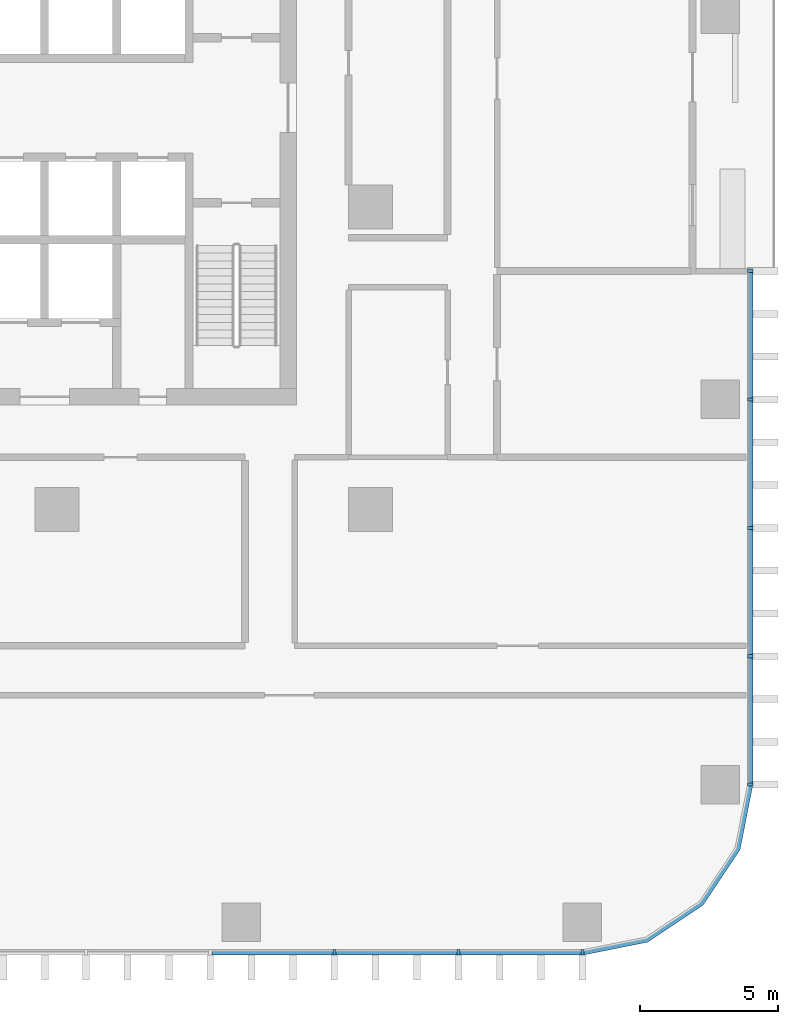
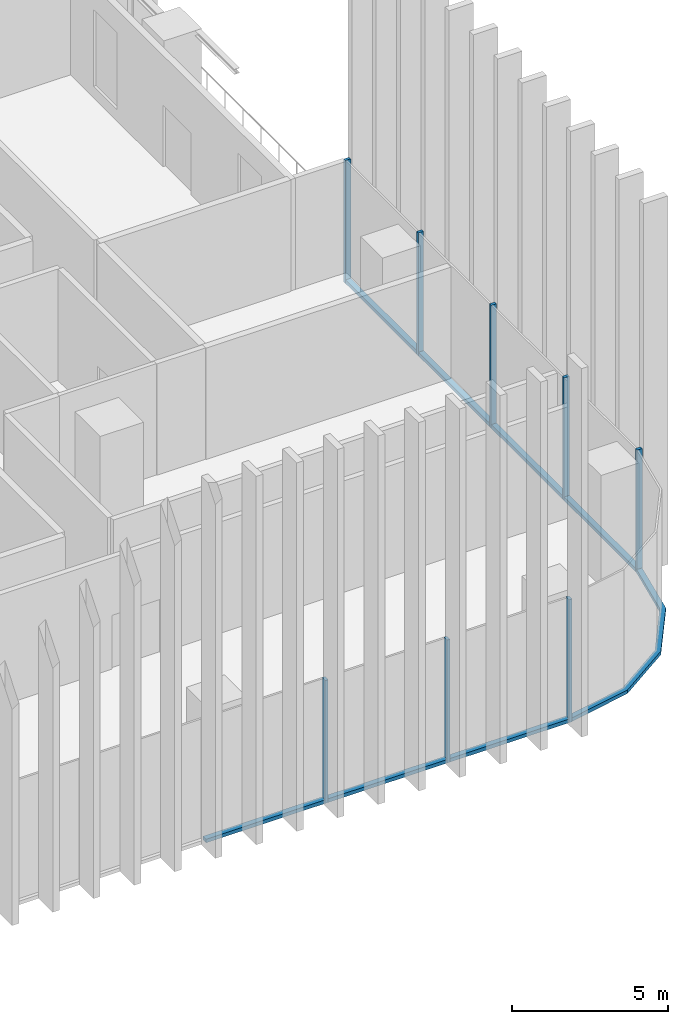
# One storey, part 3 of 16: 16 members, 3 elements without a shape of their own.
"""IFC4 building model written with IfcOpenShell, lengths in metres."""

from ifc_helpers import new_model, si_unit, direction, frame, origin, origin_2d, place, context, subcontext, project, spatial, polyline, rectangle, outline, extrude, material, material_profile, profile_set, type_object, element, aggregate, save


model = new_model("IFC4")

# Units and contexts
model_context = context("Model", 3, precision=1e-05, world=origin(), true_north=direction((0.0, 1.0)))
body_context = subcontext(model_context, "Body", "Model", "MODEL_VIEW")
ifc_project = project(units=[si_unit("LENGTHUNIT", "METRE"), si_unit("AREAUNIT", "SQUARE_METRE"), si_unit("VOLUMEUNIT", "CUBIC_METRE"), si_unit("PLANEANGLEUNIT", "RADIAN"), si_unit("MASSUNIT", "GRAM", prefix="KILO")], contexts=[model_context])

# Site, building, storey
site_placement = place(None, origin())
site = spatial("IfcSite", under=ifc_project, at=site_placement, CompositionType="ELEMENT")
building_placement = place(site_placement, origin())
building = spatial("IfcBuilding", under=site, at=building_placement, Name="Mopane Tessera Tower", CompositionType="ELEMENT")
storey_placement = place(building_placement, frame((0.0, 0.0, 59.800048828125)))
storey = spatial("IfcBuildingStorey", under=building, at=storey_placement, Name="L11", CompositionType="ELEMENT", Elevation=59.800048828125)

# Curtain wall, members
ifc_material_1 = material(Name="Aluminium frame", Category="aluminium")
curtain_wall_type = type_object("IfcCurtainWallType", Name="Lower tower unitised wall", PredefinedType="NOTDEFINED", material=ifc_material_1)
curtain_wall_1_placement = place(storey_placement, origin())
curtain_wall_1 = element("IfcCurtainWall", 1, at=curtain_wall_1_placement, inside=storey, type_object=curtain_wall_type, Name="e:cw:L11:S:5", PredefinedType="NOTDEFINED")
ifc_material_2 = material(Name="Aluminium frame", Category="aluminium")
ifc_material_profile_1 = material_profile(ifc_material_2, rectangle(XDim=0.110107421875, YDim=0.199951171875, at=origin_2d()))
ifc_profile_set_1 = profile_set([ifc_material_profile_1], Name="Aluminium frame")
member_type_1 = type_object("IfcMemberType", Name="Aluminium mullion 110 x 200", PredefinedType="MULLION", material=ifc_profile_set_1)
member_1_placement = place(storey_placement, frame((15.78173828125, -27.10009765625, -0.449951171875), z_axis=(0.0, 0.0, 1.0), x_axis=(1.0, 0.0, 0.0)))
member_1 = element("IfcMember", 2, at=member_1_placement, type_object=member_type_1, Name="e:cw:L11:S:5:mu9", PredefinedType="MULLION", context=body_context, shape_type="SweptSolid", body=[
    extrude(rectangle(XDim=0.110107421875, YDim=0.199951171875, at=origin_2d()), origin(), (0.0, 0.0, 1.0), 4.7998046875),
])
member_2_placement = place(storey_placement, frame((20.291015625, -27.10009765625, -0.449951171875), z_axis=(0.0, 0.0, 1.0), x_axis=(1.0, 0.0, 0.0)))
member_2 = element("IfcMember", 3, at=member_2_placement, type_object=member_type_1, Name="e:cw:L11:S:5:mu10", PredefinedType="MULLION", context=body_context, shape_type="SweptSolid", body=[
    extrude(rectangle(XDim=0.110107421875, YDim=0.199951171875, at=origin_2d()), origin(), (0.0, 0.0, 1.0), 4.7998046875),
])
member_3_placement = place(storey_placement, frame((24.800048828125, -27.10009765625, -0.449951171875), z_axis=(0.0, 0.0, 1.0), x_axis=(1.0, 0.0, 0.0)))
member_3 = element("IfcMember", 4, at=member_3_placement, type_object=member_type_1, Name="e:cw:L11:S:5:mu11", PredefinedType="MULLION", context=body_context, shape_type="SweptSolid", body=[
    extrude(rectangle(XDim=0.110107421875, YDim=0.199951171875, at=origin_2d()), origin(), (0.0, 0.0, 1.0), 4.7998046875),
])

curtain_wall_2_placement = place(storey_placement, origin())
curtain_wall_2 = element("IfcCurtainWall", 5, at=curtain_wall_2_placement, inside=storey, type_object=curtain_wall_type, Name="e:cw:L11:E:0", PredefinedType="NOTDEFINED")
member_4_placement = place(storey_placement, frame((30.89990234375, -21.0, -0.449951171875), z_axis=(0.0, 0.0, 1.0), x_axis=(0.0, 1.0, 0.0)))
member_4 = element("IfcMember", 6, at=member_4_placement, type_object=member_type_1, Name="e:cw:L11:E:0:mu0", PredefinedType="MULLION", context=body_context, shape_type="SweptSolid", body=[
    extrude(rectangle(XDim=0.110107421875, YDim=0.199951171875, at=origin_2d()), origin(), (0.0, 0.0, 1.0), 4.7998046875),
])
member_5_placement = place(storey_placement, frame((30.89990234375, -16.333251953125, -0.449951171875), z_axis=(0.0, 0.0, 1.0), x_axis=(0.0, 1.0, 0.0)))
member_5 = element("IfcMember", 7, at=member_5_placement, type_object=member_type_1, Name="e:cw:L11:E:0:mu1", PredefinedType="MULLION", context=body_context, shape_type="SweptSolid", body=[
    extrude(rectangle(XDim=0.110107421875, YDim=0.199951171875, at=origin_2d()), origin(), (0.0, 0.0, 1.0), 4.7998046875),
])
member_6_placement = place(storey_placement, frame((30.89990234375, -11.666748046875, -0.449951171875), z_axis=(0.0, 0.0, 1.0), x_axis=(0.0, 1.0, 0.0)))
member_6 = element("IfcMember", 8, at=member_6_placement, type_object=member_type_1, Name="e:cw:L11:E:0:mu2", PredefinedType="MULLION", context=body_context, shape_type="SweptSolid", body=[
    extrude(rectangle(XDim=0.110107421875, YDim=0.199951171875, at=origin_2d()), origin(), (0.0, 0.0, 1.0), 4.7998046875),
])
member_7_placement = place(storey_placement, frame((30.89990234375, -7.0, -0.449951171875), z_axis=(0.0, 0.0, 1.0), x_axis=(0.0, 1.0, 0.0)))
member_7 = element("IfcMember", 9, at=member_7_placement, type_object=member_type_1, Name="e:cw:L11:E:0:mu3", PredefinedType="MULLION", context=body_context, shape_type="SweptSolid", body=[
    extrude(rectangle(XDim=0.110107421875, YDim=0.199951171875, at=origin_2d()), origin(), (0.0, 0.0, 1.0), 4.7998046875),
])
member_8_placement = place(storey_placement, frame((30.89990234375, -2.333251953125, -0.449951171875), z_axis=(0.0, 0.0, 1.0), x_axis=(0.0, 1.0, 0.0)))
member_8 = element("IfcMember", 10, at=member_8_placement, type_object=member_type_1, Name="e:cw:L11:E:0:mu4", PredefinedType="MULLION", context=body_context, shape_type="SweptSolid", body=[
    extrude(rectangle(XDim=0.110107421875, YDim=0.199951171875, at=origin_2d()), origin(), (0.0, 0.0, 1.0), 4.7998046875),
])

# Member
ifc_material_3 = material(Name="Aluminium frame", Category="aluminium")
ifc_material_profile_2 = material_profile(ifc_material_3, rectangle(XDim=0.199951171875, YDim=0.139892578125, at=origin_2d()))
ifc_profile_set_2 = profile_set([ifc_material_profile_2], Name="Aluminium frame")
member_type_2 = type_object("IfcMemberType", Name="Aluminium transom 200 x 140", PredefinedType="USERDEFINED", material=ifc_profile_set_2)
member_9_placement = place(storey_placement, frame((11.32763671875, -27.10009765625, -0.380126953125), z_axis=(1.0, 0.0, 0.0), x_axis=(0.0, 1.0, 0.0)))
member_9 = element("IfcMember", 11, at=member_9_placement, type_object=member_type_2, Name="e:cw:L11:S:5:tr8", ObjectType="TRANSOM", PredefinedType="USERDEFINED", context=body_context, shape_type="SweptSolid", body=[
    extrude(rectangle(XDim=0.199951171875, YDim=0.139892578125, at=origin_2d()), origin(), (0.0, 0.0, 1.0), 4.399169921875),
])

member_10_placement = place(storey_placement, frame((15.8369140625, -27.10009765625, -0.380126953125), z_axis=(1.0, 0.0, 0.0), x_axis=(0.0, 1.0, 0.0)))
member_10 = element("IfcMember", 12, at=member_10_placement, type_object=member_type_2, Name="e:cw:L11:S:5:tr9", ObjectType="TRANSOM", PredefinedType="USERDEFINED", context=body_context, shape_type="SweptSolid", body=[
    extrude(rectangle(XDim=0.199951171875, YDim=0.139892578125, at=origin_2d()), origin(), (0.0, 0.0, 1.0), 4.39892578125),
])

member_11_placement = place(storey_placement, frame((20.345947265625, -27.10009765625, -0.380126953125), z_axis=(1.0, 0.0, 0.0), x_axis=(0.0, 1.0, 0.0)))
member_11 = element("IfcMember", 13, at=member_11_placement, type_object=member_type_2, Name="e:cw:L11:S:5:tr10", ObjectType="TRANSOM", PredefinedType="USERDEFINED", context=body_context, shape_type="SweptSolid", body=[
    extrude(rectangle(XDim=0.199951171875, YDim=0.139892578125, at=origin_2d()), origin(), (0.0, 0.0, 1.0), 4.399169921875),
])

aggregate(curtain_wall_1, [member_1, member_2, member_3, member_9, member_10, member_11])

# Curtain wall, member
curtain_wall_3_placement = place(storey_placement, origin())
curtain_wall_3 = element("IfcCurtainWall", 14, at=curtain_wall_3_placement, inside=storey, type_object=curtain_wall_type, Name="e:cw:L11:CS", PredefinedType="NOTDEFINED")
member_12_placement = place(storey_placement, frame((0.0, 0.0, -0.449951171875)))
member_12 = element("IfcMember", 15, at=member_12_placement, type_object=member_type_2, Name="e:cw:L11:CS:tr", ObjectType="TRANSOM", PredefinedType="USERDEFINED", context=body_context, shape_type="SweptSolid", body=[
    extrude(outline(polyline([(24.800048828125, -27.0), (27.09619140625, -26.543212890625), (29.042724609375, -25.24267578125), (30.34326171875, -23.296142578125), (30.800048828125, -21.0), (31.0, -21.0), (30.528076171875, -23.37255859375), (29.18408203125, -25.384033203125), (27.172607421875, -26.72802734375), (24.800048828125, -27.199951171875), (24.800048828125, -27.0)])), origin(), (0.0, 0.0, 1.0), 0.139892578125),
])
aggregate(curtain_wall_3, [member_12])

# Member
member_13_placement = place(storey_placement, frame((30.89990234375, -20.945068359375, -0.380126953125), z_axis=(0.0, 1.0, 0.0), x_axis=(-1.0, 0.0, 0.0)))
member_13 = element("IfcMember", 16, at=member_13_placement, type_object=member_type_2, Name="e:cw:L11:E:0:tr0", ObjectType="TRANSOM", PredefinedType="USERDEFINED", context=body_context, shape_type="SweptSolid", body=[
    extrude(rectangle(XDim=0.199951171875, YDim=0.139892578125, at=origin_2d()), origin(), (0.0, 0.0, 1.0), 4.556640625),
])

member_14_placement = place(storey_placement, frame((30.89990234375, -16.2783203125, -0.380126953125), z_axis=(0.0, 1.0, 0.0), x_axis=(-1.0, 0.0, 0.0)))
member_14 = element("IfcMember", 17, at=member_14_placement, type_object=member_type_2, Name="e:cw:L11:E:0:tr1", ObjectType="TRANSOM", PredefinedType="USERDEFINED", context=body_context, shape_type="SweptSolid", body=[
    extrude(rectangle(XDim=0.199951171875, YDim=0.139892578125, at=origin_2d()), origin(), (0.0, 0.0, 1.0), 4.556640625),
])

member_15_placement = place(storey_placement, frame((30.89990234375, -11.611572265625, -0.380126953125), z_axis=(0.0, 1.0, 0.0), x_axis=(-1.0, 0.0, 0.0)))
member_15 = element("IfcMember", 18, at=member_15_placement, type_object=member_type_2, Name="e:cw:L11:E:0:tr2", ObjectType="TRANSOM", PredefinedType="USERDEFINED", context=body_context, shape_type="SweptSolid", body=[
    extrude(rectangle(XDim=0.199951171875, YDim=0.139892578125, at=origin_2d()), origin(), (0.0, 0.0, 1.0), 4.556640625),
])

member_16_placement = place(storey_placement, frame((30.89990234375, -6.945068359375, -0.380126953125), z_axis=(0.0, 1.0, 0.0), x_axis=(-1.0, 0.0, 0.0)))
member_16 = element("IfcMember", 19, at=member_16_placement, type_object=member_type_2, Name="e:cw:L11:E:0:tr3", ObjectType="TRANSOM", PredefinedType="USERDEFINED", context=body_context, shape_type="SweptSolid", body=[
    extrude(rectangle(XDim=0.199951171875, YDim=0.139892578125, at=origin_2d()), origin(), (0.0, 0.0, 1.0), 4.556640625),
])

aggregate(curtain_wall_2, [member_4, member_5, member_6, member_7, member_8, member_13, member_14, member_15, member_16])

save(model, "model.ifc")
